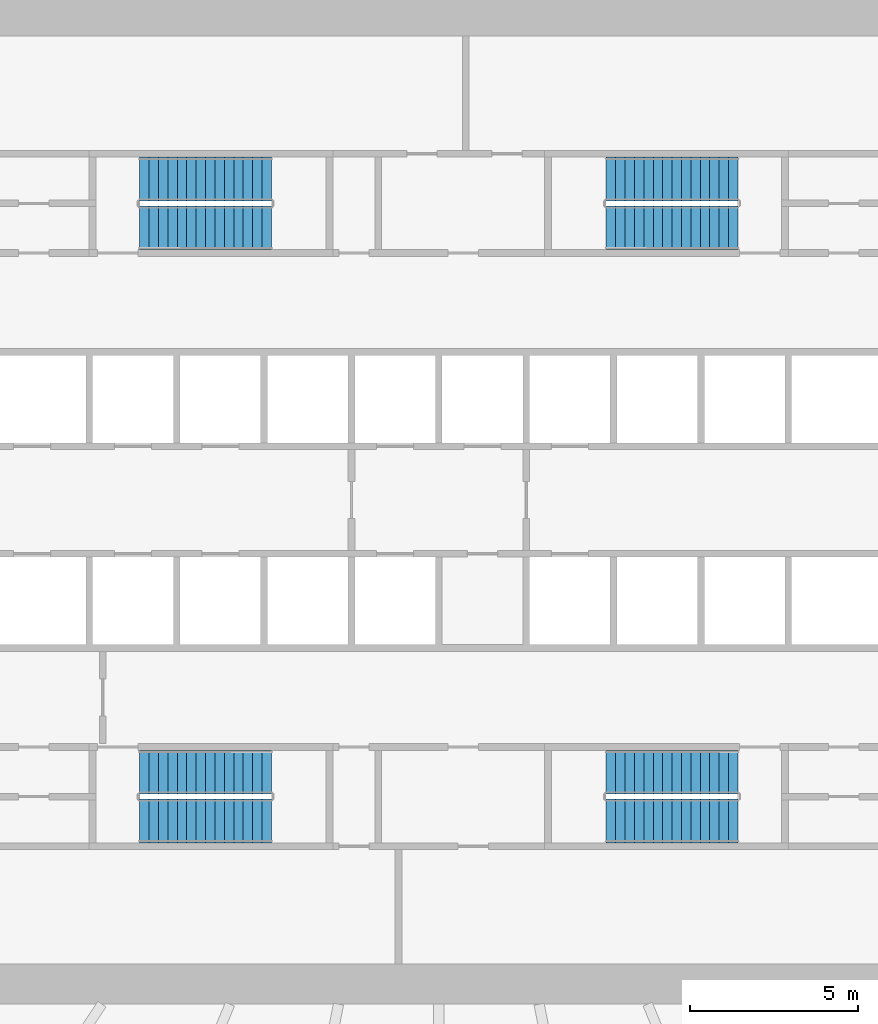
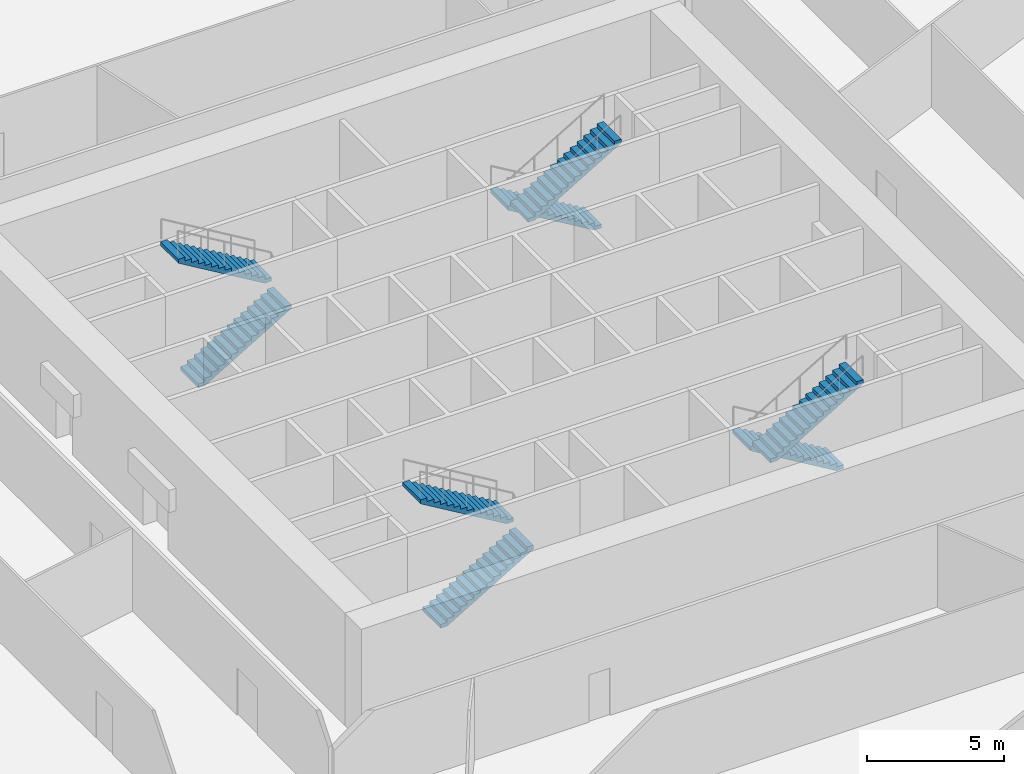
# One storey, part 30 of 38: 8 stair flights, 4 elements without a shape of their own.
"""IFC4 building model written with IfcOpenShell, lengths in metres."""

import ifcopenshell
import ifcopenshell.guid

model = None  # the IFC model being written
_history = None  # IfcOwnerHistory: only IFC2X3 demands one
_inside = {}  # id of a spatial element -> (the spatial element, [elements in it])
_under = {}  # id of a project, library or spatial element -> (it, [spatial elements below it])
_declared = {}  # id of a project -> (the project, [libraries it declares])
_typed = {}  # id of a type object -> (the type object, [elements of that type])
_made_of = {}  # id of a material, layer set ... -> (it, [elements and type objects made of it])


def new_model(schema):
    """Start an empty IFC model of exactly this schema.

    Asked for "IFC4X3", IfcOpenShell would pick the latest addendum, in which some entities
    have other attributes; the version numbers below select the first issue.
    IFC2X3 requires an IfcOwnerHistory on every rooted entity: one is made here for all.
    """
    global model, _history
    if schema == "IFC4X3":
        model = ifcopenshell.file(schema_version=(4, 3, 0, 0))
    else:
        model = ifcopenshell.file(schema=schema)
    _inside.clear()
    _under.clear()
    _declared.clear()
    _typed.clear()
    _made_of.clear()
    _history = None
    if model.schema == "IFC2X3":
        org = make("IfcOrganization", Name="unknown")
        user = make(
            "IfcPersonAndOrganization",
            ThePerson=make("IfcPerson", FamilyName="unknown"),
            TheOrganization=org,
        )
        app = make(
            "IfcApplication",
            ApplicationDeveloper=org,
            Version="unknown",
            ApplicationFullName="unknown",
            ApplicationIdentifier="unknown",
        )
        _history = make(
            "IfcOwnerHistory",
            OwningUser=user,
            OwningApplication=app,
            ChangeAction="ADDED",
            CreationDate=0,
        )
    return model


def make(cls, **values):
    """One entity of the class cls with the attributes given. An attribute that is None is left unset."""
    return model.create_entity(
        cls, **{name: value for name, value in values.items() if value is not None}
    )


def rooted(cls, **values):
    """An entity with a GlobalId (a new one), such as an element, a storey or a relation."""
    return make(cls, GlobalId=ifcopenshell.guid.new(), OwnerHistory=_history, **values)


def si_unit(unit_type, name, prefix=None):
    """IfcSIUnit, for example si_unit("LENGTHUNIT", "METRE", prefix="MILLI")."""
    return make("IfcSIUnit", UnitType=unit_type, Prefix=prefix, Name=name)


def assignment(units):
    """IfcUnitAssignment: the units of a project."""
    return None if units is None else make("IfcUnitAssignment", Units=units)


def point(xyz):
    """IfcCartesianPoint."""
    return None if xyz is None else make("IfcCartesianPoint", Coordinates=xyz)


def direction(xyz):
    """IfcDirection."""
    return None if xyz is None else make("IfcDirection", DirectionRatios=xyz)


def frame(location, z_axis=None, x_axis=None):
    """IfcAxis2Placement3D, a coordinate frame: its origin and axes. An axis left out is left unset."""
    return make(
        "IfcAxis2Placement3D",
        Location=point(location),
        Axis=direction(z_axis),
        RefDirection=direction(x_axis),
    )


def origin():
    """The frame at (0, 0, 0) with its axes left unset."""
    return frame((0.0, 0.0, 0.0))


def place(relative_to, where):
    """IfcLocalPlacement: puts the frame where relative to a parent placement (None: the world)."""
    return make(
        "IfcLocalPlacement", PlacementRelTo=relative_to, RelativePlacement=where
    )


def context(
    kind, dimensions, precision=None, world=None, true_north=None, identifier=None
):
    """IfcGeometricRepresentationContext, for example the 3D "Model" context."""
    return make(
        "IfcGeometricRepresentationContext",
        ContextIdentifier=identifier,
        ContextType=kind,
        CoordinateSpaceDimension=dimensions,
        Precision=precision,
        WorldCoordinateSystem=world,
        TrueNorth=true_north,
    )


def subcontext(parent, identifier, kind, view, scale=None):
    """IfcGeometricRepresentationSubContext, for example "Body" below "Model"."""
    return make(
        "IfcGeometricRepresentationSubContext",
        ContextIdentifier=identifier,
        ContextType=kind,
        ParentContext=parent,
        TargetScale=scale,
        TargetView=view,
    )


def project(units=None, contexts=None):
    """IfcProject with its units and contexts."""
    return rooted(
        "IfcProject",
        Name="project",
        RepresentationContexts=contexts,
        UnitsInContext=assignment(units),
    )


def spatial(cls, under=None, at=None, **own):
    """A site, building, storey or space (cls), placed at a placement, below another one or the project."""
    s = rooted(cls, ObjectPlacement=at, **own)
    if under is not None:
        _under.setdefault(under.id(), (under, []))[1].append(s)
    return s


def polyline(points):
    """IfcPolyline through the points."""
    return make("IfcPolyline", Points=[point(p) for p in points])


def outline(outer, holes=None, kind="AREA"):
    """IfcArbitraryClosedProfileDef: a profile drawn as a closed curve; with holes, ...WithVoids."""
    if holes is None:
        return make("IfcArbitraryClosedProfileDef", ProfileType=kind, OuterCurve=outer)
    return make(
        "IfcArbitraryProfileDefWithVoids",
        ProfileType=kind,
        OuterCurve=outer,
        InnerCurves=holes,
    )


def extrude(swept, where, along, depth):
    """IfcExtrudedAreaSolid: the profile swept, set in the frame where, extruded along a direction by depth."""
    return make(
        "IfcExtrudedAreaSolid",
        SweptArea=swept,
        Position=where,
        ExtrudedDirection=direction(along),
        Depth=depth,
    )


def shape(context_of_items, identifier, shape_type, items):
    """IfcShapeRepresentation: the items that make up one representation, for example the "Body"."""
    return make(
        "IfcShapeRepresentation",
        ContextOfItems=context_of_items,
        RepresentationIdentifier=identifier,
        RepresentationType=shape_type,
        Items=items,
    )


def material(Name=None, Category=None):
    """IfcMaterial."""
    return make("IfcMaterial", Name=Name, Category=Category)


def made_of(thing, what):
    """Note that an element or type object is made of a material, layer set ...; save() writes the relation."""
    if what is not None:
        _made_of.setdefault(what.id(), (what, []))[1].append(thing)
    return thing


def type_object(cls, material=None, **own):
    """A type object (cls), such as IfcWallType, which elements share."""
    return made_of(rooted(cls, **own), material)


def element(
    cls,
    number,
    at=None,
    inside=None,
    cuts=None,
    type_object=None,
    material=None,
    context=None,
    identifier="Body",
    shape_type=None,
    held_by="IfcProductDefinitionShape",
    body=None,
    shapes=None,
    **own,
):
    """One element of the class cls, such as IfcWall. Its Tag is "e" and its number.

    at: its placement. inside: the storey or other place that contains it. cuts: it is an
    opening in that element (IfcRelVoidsElement). A single representation is given by context,
    identifier, shape_type and body (its items); several are given by shapes. held_by: the class
    of the entity that holds the representations. save() writes the other relations.
    """
    e = rooted(cls, Tag="e%d" % number, ObjectPlacement=at, **own)
    if body is not None:
        shapes = [shape(context, identifier, shape_type, body)]
    if shapes is not None:
        e.Representation = make(held_by, Representations=shapes)
    if inside is not None:
        _inside.setdefault(inside.id(), (inside, []))[1].append(e)
    if cuts is not None:
        rooted(
            "IfcRelVoidsElement", RelatingBuildingElement=cuts, RelatedOpeningElement=e
        )
    if type_object is not None:
        _typed.setdefault(type_object.id(), (type_object, []))[1].append(e)
    return made_of(e, material)


def aggregate(whole, parts):
    """IfcRelAggregates: a whole, such as a stair, and the parts it consists of."""
    return rooted("IfcRelAggregates", RelatingObject=whole, RelatedObjects=parts)


def save(model, path):
    """Write the relations noted so far, then the file.

    IfcRelAggregates (storeys below a building ...), IfcRelContainedInSpatialStructure (elements
    in a storey), IfcRelDefinesByType, IfcRelAssociatesMaterial and IfcRelDeclares: one each for
    every whole, place, type object, material and project.
    """
    for whole, parts in _under.values():
        aggregate(whole, parts)
    for where, things in _inside.values():
        rooted(
            "IfcRelContainedInSpatialStructure",
            RelatedElements=things,
            RelatingStructure=where,
        )
    for kind, things in _typed.values():
        rooted("IfcRelDefinesByType", RelatedObjects=things, RelatingType=kind)
    for what, things in _made_of.values():
        rooted("IfcRelAssociatesMaterial", RelatedObjects=things, RelatingMaterial=what)
    for by, libraries in _declared.values():
        rooted("IfcRelDeclares", RelatingContext=by, RelatedDefinitions=libraries)
    model.write(path)


model = new_model("IFC4")

# Units and contexts
model_context = context("Model", 3, precision=1e-05, world=origin(), true_north=direction((0.0, 1.0)))
body_context = subcontext(model_context, "Body", "Model", "MODEL_VIEW")
ifc_project = project(units=[si_unit("LENGTHUNIT", "METRE"), si_unit("AREAUNIT", "SQUARE_METRE"), si_unit("VOLUMEUNIT", "CUBIC_METRE"), si_unit("PLANEANGLEUNIT", "RADIAN"), si_unit("MASSUNIT", "GRAM", prefix="KILO")], contexts=[model_context])

# Site, building, storey
site_placement = place(None, origin())
site = spatial("IfcSite", under=ifc_project, at=site_placement, CompositionType="ELEMENT")
building_placement = place(site_placement, origin())
building = spatial("IfcBuilding", under=site, at=building_placement, Name="Corvane Civic Tower", CompositionType="ELEMENT")
storey_placement = place(building_placement, frame((0.0, 0.0, 32.0)))
storey = spatial("IfcBuildingStorey", under=building, at=storey_placement, Name="L06", CompositionType="ELEMENT", Elevation=32.0)

# Stair, stair flights
ifc_material_1 = material(Name="Concrete C40/50", Category="concrete")
stair_type = type_object("IfcStairType", Name="ST-STAIR-HALFTURN", PredefinedType="HALF_TURN_STAIR", material=ifc_material_1)
stair_1_placement = place(storey_placement, origin())
stair_1 = element("IfcStair", 1, at=stair_1_placement, inside=storey, type_object=stair_type, Name="L06 Exit stair ST1", PredefinedType="HALF_TURN_STAIR")
ifc_material_2 = material(Name="Concrete C40/50", Category="concrete")
stair_flight_type = type_object("IfcStairFlightType", Name="ST-FLIGHT-RC", PredefinedType="STRAIGHT", material=ifc_material_2)
stair_flight_1_placement = place(storey_placement, frame((8.89990234375, 9.550048828125, 0.0), z_axis=(0.0, 0.0, 1.0), x_axis=(-1.0, 0.0, 0.0)))
stair_flight_1 = element("IfcStairFlight", 2, at=stair_flight_1_placement, type_object=stair_flight_type, Name="ST1 flight 1", NumberOfRisers=15, NumberOfTreads=14, PredefinedType="STRAIGHT", RiserHeight=0.166666667, TreadLength=0.28, context=body_context, shape_type="SweptSolid", body=[
    extrude(outline(polyline([(0.0, 0.0), (0.0, 0.166748046875), (0.280029296875, 0.166748046875), (0.280029296875, 0.333251953125), (0.56005859375, 0.333251953125), (0.56005859375, 0.5), (0.840087890625, 0.5), (0.840087890625, 0.666748046875), (1.1201171875, 0.666748046875), (1.1201171875, 0.833251953125), (1.39990234375, 0.833251953125), (1.39990234375, 1.0), (1.679931640625, 1.0), (1.679931640625, 1.166748046875), (1.9599609375, 1.166748046875), (1.9599609375, 1.333251953125), (2.239990234375, 1.333251953125), (2.239990234375, 1.5), (2.52001953125, 1.5), (2.52001953125, 1.666748046875), (2.800048828125, 1.666748046875), (2.800048828125, 1.833251953125), (3.080078125, 1.833251953125), (3.080078125, 2.0), (3.360107421875, 2.0), (3.360107421875, 2.166748046875), (3.639892578125, 2.166748046875), (3.639892578125, 2.333251953125), (3.919921875, 2.333251953125), (3.919921875, 2.5), (3.919921875, 2.158935546875), (0.29296875, 0.0), (0.0, 0.0)])), frame((0.0, 0.64990234375, 0.0), z_axis=(0.0, -1.0, 0.0), x_axis=(1.0, 0.0, 0.0)), (0.0, 0.0, 1.0), 1.300048828125),
])
stair_flight_2_placement = place(storey_placement, frame((4.97998046875, 8.10009765625, 2.5), z_axis=(0.0, 0.0, 1.0), x_axis=(1.0, 0.0, 0.0)))
stair_flight_2 = element("IfcStairFlight", 3, at=stair_flight_2_placement, type_object=stair_flight_type, Name="ST1 flight 2", NumberOfRisers=15, NumberOfTreads=14, PredefinedType="STRAIGHT", RiserHeight=0.166666667, TreadLength=0.28, context=body_context, shape_type="SweptSolid", body=[
    extrude(outline(polyline([(0.0, 0.0), (0.0, 0.166748046875), (0.280029296875, 0.166748046875), (0.280029296875, 0.333251953125), (0.56005859375, 0.333251953125), (0.56005859375, 0.5), (0.840087890625, 0.5), (0.840087890625, 0.666748046875), (1.1201171875, 0.666748046875), (1.1201171875, 0.833251953125), (1.39990234375, 0.833251953125), (1.39990234375, 1.0), (1.679931640625, 1.0), (1.679931640625, 1.166748046875), (1.9599609375, 1.166748046875), (1.9599609375, 1.333251953125), (2.239990234375, 1.333251953125), (2.239990234375, 1.5), (2.52001953125, 1.5), (2.52001953125, 1.666748046875), (2.800048828125, 1.666748046875), (2.800048828125, 1.833251953125), (3.080078125, 1.833251953125), (3.080078125, 2.0), (3.360107421875, 2.0), (3.360107421875, 2.166748046875), (3.639892578125, 2.166748046875), (3.639892578125, 2.333251953125), (3.919921875, 2.333251953125), (3.919921875, 2.5), (3.919921875, 2.158935546875), (0.29296875, 0.0), (0.0, 0.0)])), frame((0.0, 0.64990234375, 0.0), z_axis=(0.0, -1.0, 0.0), x_axis=(1.0, 0.0, 0.0)), (0.0, 0.0, 1.0), 1.300048828125),
])
aggregate(stair_1, [stair_flight_1, stair_flight_2])

stair_2_placement = place(storey_placement, origin())
stair_2 = element("IfcStair", 4, at=stair_2_placement, inside=storey, type_object=stair_type, Name="L06 Exit stair ST2", PredefinedType="HALF_TURN_STAIR")
stair_flight_3_placement = place(storey_placement, frame((8.89990234375, -8.10009765625, 0.0), z_axis=(0.0, 0.0, 1.0), x_axis=(-1.0, 0.0, 0.0)))
stair_flight_3 = element("IfcStairFlight", 5, at=stair_flight_3_placement, type_object=stair_flight_type, Name="ST2 flight 1", NumberOfRisers=15, NumberOfTreads=14, PredefinedType="STRAIGHT", RiserHeight=0.166666667, TreadLength=0.28, context=body_context, shape_type="SweptSolid", body=[
    extrude(outline(polyline([(0.0, 0.0), (0.0, 0.166748046875), (0.280029296875, 0.166748046875), (0.280029296875, 0.333251953125), (0.56005859375, 0.333251953125), (0.56005859375, 0.5), (0.840087890625, 0.5), (0.840087890625, 0.666748046875), (1.1201171875, 0.666748046875), (1.1201171875, 0.833251953125), (1.39990234375, 0.833251953125), (1.39990234375, 1.0), (1.679931640625, 1.0), (1.679931640625, 1.166748046875), (1.9599609375, 1.166748046875), (1.9599609375, 1.333251953125), (2.239990234375, 1.333251953125), (2.239990234375, 1.5), (2.52001953125, 1.5), (2.52001953125, 1.666748046875), (2.800048828125, 1.666748046875), (2.800048828125, 1.833251953125), (3.080078125, 1.833251953125), (3.080078125, 2.0), (3.360107421875, 2.0), (3.360107421875, 2.166748046875), (3.639892578125, 2.166748046875), (3.639892578125, 2.333251953125), (3.919921875, 2.333251953125), (3.919921875, 2.5), (3.919921875, 2.158935546875), (0.29296875, 0.0), (0.0, 0.0)])), frame((0.0, 0.64990234375, 0.0), z_axis=(0.0, -1.0, 0.0), x_axis=(1.0, 0.0, 0.0)), (0.0, 0.0, 1.0), 1.300048828125),
])
stair_flight_4_placement = place(storey_placement, frame((4.97998046875, -9.550048828125, 2.5), z_axis=(0.0, 0.0, 1.0), x_axis=(1.0, 0.0, 0.0)))
stair_flight_4 = element("IfcStairFlight", 6, at=stair_flight_4_placement, type_object=stair_flight_type, Name="ST2 flight 2", NumberOfRisers=15, NumberOfTreads=14, PredefinedType="STRAIGHT", RiserHeight=0.166666667, TreadLength=0.28, context=body_context, shape_type="SweptSolid", body=[
    extrude(outline(polyline([(0.0, 0.0), (0.0, 0.166748046875), (0.280029296875, 0.166748046875), (0.280029296875, 0.333251953125), (0.56005859375, 0.333251953125), (0.56005859375, 0.5), (0.840087890625, 0.5), (0.840087890625, 0.666748046875), (1.1201171875, 0.666748046875), (1.1201171875, 0.833251953125), (1.39990234375, 0.833251953125), (1.39990234375, 1.0), (1.679931640625, 1.0), (1.679931640625, 1.166748046875), (1.9599609375, 1.166748046875), (1.9599609375, 1.333251953125), (2.239990234375, 1.333251953125), (2.239990234375, 1.5), (2.52001953125, 1.5), (2.52001953125, 1.666748046875), (2.800048828125, 1.666748046875), (2.800048828125, 1.833251953125), (3.080078125, 1.833251953125), (3.080078125, 2.0), (3.360107421875, 2.0), (3.360107421875, 2.166748046875), (3.639892578125, 2.166748046875), (3.639892578125, 2.333251953125), (3.919921875, 2.333251953125), (3.919921875, 2.5), (3.919921875, 2.158935546875), (0.29296875, 0.0), (0.0, 0.0)])), frame((0.0, 0.64990234375, 0.0), z_axis=(0.0, -1.0, 0.0), x_axis=(1.0, 0.0, 0.0)), (0.0, 0.0, 1.0), 1.300048828125),
])
aggregate(stair_2, [stair_flight_3, stair_flight_4])

stair_3_placement = place(storey_placement, origin())
stair_3 = element("IfcStair", 7, at=stair_3_placement, inside=storey, type_object=stair_type, Name="L06 Exit stair ST3", PredefinedType="HALF_TURN_STAIR")
stair_flight_5_placement = place(storey_placement, frame((-8.89990234375, -9.550048828125, 0.0), z_axis=(0.0, 0.0, 1.0), x_axis=(1.0, 0.0, 0.0)))
stair_flight_5 = element("IfcStairFlight", 8, at=stair_flight_5_placement, type_object=stair_flight_type, Name="ST3 flight 1", NumberOfRisers=15, NumberOfTreads=14, PredefinedType="STRAIGHT", RiserHeight=0.166666667, TreadLength=0.28, context=body_context, shape_type="SweptSolid", body=[
    extrude(outline(polyline([(0.0, 0.0), (0.0, 0.166748046875), (0.280029296875, 0.166748046875), (0.280029296875, 0.333251953125), (0.56005859375, 0.333251953125), (0.56005859375, 0.5), (0.840087890625, 0.5), (0.840087890625, 0.666748046875), (1.1201171875, 0.666748046875), (1.1201171875, 0.833251953125), (1.39990234375, 0.833251953125), (1.39990234375, 1.0), (1.679931640625, 1.0), (1.679931640625, 1.166748046875), (1.9599609375, 1.166748046875), (1.9599609375, 1.333251953125), (2.239990234375, 1.333251953125), (2.239990234375, 1.5), (2.52001953125, 1.5), (2.52001953125, 1.666748046875), (2.800048828125, 1.666748046875), (2.800048828125, 1.833251953125), (3.080078125, 1.833251953125), (3.080078125, 2.0), (3.360107421875, 2.0), (3.360107421875, 2.166748046875), (3.639892578125, 2.166748046875), (3.639892578125, 2.333251953125), (3.919921875, 2.333251953125), (3.919921875, 2.5), (3.919921875, 2.158935546875), (0.29296875, 0.0), (0.0, 0.0)])), frame((0.0, 0.64990234375, 0.0), z_axis=(0.0, -1.0, 0.0), x_axis=(1.0, 0.0, 0.0)), (0.0, 0.0, 1.0), 1.300048828125),
])
stair_flight_6_placement = place(storey_placement, frame((-4.97998046875, -8.10009765625, 2.5), z_axis=(0.0, 0.0, 1.0), x_axis=(-1.0, 0.0, 0.0)))
stair_flight_6 = element("IfcStairFlight", 9, at=stair_flight_6_placement, type_object=stair_flight_type, Name="ST3 flight 2", NumberOfRisers=15, NumberOfTreads=14, PredefinedType="STRAIGHT", RiserHeight=0.166666667, TreadLength=0.28, context=body_context, shape_type="SweptSolid", body=[
    extrude(outline(polyline([(0.0, 0.0), (0.0, 0.166748046875), (0.280029296875, 0.166748046875), (0.280029296875, 0.333251953125), (0.56005859375, 0.333251953125), (0.56005859375, 0.5), (0.840087890625, 0.5), (0.840087890625, 0.666748046875), (1.1201171875, 0.666748046875), (1.1201171875, 0.833251953125), (1.39990234375, 0.833251953125), (1.39990234375, 1.0), (1.679931640625, 1.0), (1.679931640625, 1.166748046875), (1.9599609375, 1.166748046875), (1.9599609375, 1.333251953125), (2.239990234375, 1.333251953125), (2.239990234375, 1.5), (2.52001953125, 1.5), (2.52001953125, 1.666748046875), (2.800048828125, 1.666748046875), (2.800048828125, 1.833251953125), (3.080078125, 1.833251953125), (3.080078125, 2.0), (3.360107421875, 2.0), (3.360107421875, 2.166748046875), (3.639892578125, 2.166748046875), (3.639892578125, 2.333251953125), (3.919921875, 2.333251953125), (3.919921875, 2.5), (3.919921875, 2.158935546875), (0.29296875, 0.0), (0.0, 0.0)])), frame((0.0, 0.64990234375, 0.0), z_axis=(0.0, -1.0, 0.0), x_axis=(1.0, 0.0, 0.0)), (0.0, 0.0, 1.0), 1.300048828125),
])
aggregate(stair_3, [stair_flight_5, stair_flight_6])

stair_4_placement = place(storey_placement, origin())
stair_4 = element("IfcStair", 10, at=stair_4_placement, inside=storey, type_object=stair_type, Name="L06 Exit stair ST4", PredefinedType="HALF_TURN_STAIR")
stair_flight_7_placement = place(storey_placement, frame((-8.89990234375, 8.10009765625, 0.0), z_axis=(0.0, 0.0, 1.0), x_axis=(1.0, 0.0, 0.0)))
stair_flight_7 = element("IfcStairFlight", 11, at=stair_flight_7_placement, type_object=stair_flight_type, Name="ST4 flight 1", NumberOfRisers=15, NumberOfTreads=14, PredefinedType="STRAIGHT", RiserHeight=0.166666667, TreadLength=0.28, context=body_context, shape_type="SweptSolid", body=[
    extrude(outline(polyline([(0.0, 0.0), (0.0, 0.166748046875), (0.280029296875, 0.166748046875), (0.280029296875, 0.333251953125), (0.56005859375, 0.333251953125), (0.56005859375, 0.5), (0.840087890625, 0.5), (0.840087890625, 0.666748046875), (1.1201171875, 0.666748046875), (1.1201171875, 0.833251953125), (1.39990234375, 0.833251953125), (1.39990234375, 1.0), (1.679931640625, 1.0), (1.679931640625, 1.166748046875), (1.9599609375, 1.166748046875), (1.9599609375, 1.333251953125), (2.239990234375, 1.333251953125), (2.239990234375, 1.5), (2.52001953125, 1.5), (2.52001953125, 1.666748046875), (2.800048828125, 1.666748046875), (2.800048828125, 1.833251953125), (3.080078125, 1.833251953125), (3.080078125, 2.0), (3.360107421875, 2.0), (3.360107421875, 2.166748046875), (3.639892578125, 2.166748046875), (3.639892578125, 2.333251953125), (3.919921875, 2.333251953125), (3.919921875, 2.5), (3.919921875, 2.158935546875), (0.29296875, 0.0), (0.0, 0.0)])), frame((0.0, 0.64990234375, 0.0), z_axis=(0.0, -1.0, 0.0), x_axis=(1.0, 0.0, 0.0)), (0.0, 0.0, 1.0), 1.300048828125),
])
stair_flight_8_placement = place(storey_placement, frame((-4.97998046875, 9.550048828125, 2.5), z_axis=(0.0, 0.0, 1.0), x_axis=(-1.0, 0.0, 0.0)))
stair_flight_8 = element("IfcStairFlight", 12, at=stair_flight_8_placement, type_object=stair_flight_type, Name="ST4 flight 2", NumberOfRisers=15, NumberOfTreads=14, PredefinedType="STRAIGHT", RiserHeight=0.166666667, TreadLength=0.28, context=body_context, shape_type="SweptSolid", body=[
    extrude(outline(polyline([(0.0, 0.0), (0.0, 0.166748046875), (0.280029296875, 0.166748046875), (0.280029296875, 0.333251953125), (0.56005859375, 0.333251953125), (0.56005859375, 0.5), (0.840087890625, 0.5), (0.840087890625, 0.666748046875), (1.1201171875, 0.666748046875), (1.1201171875, 0.833251953125), (1.39990234375, 0.833251953125), (1.39990234375, 1.0), (1.679931640625, 1.0), (1.679931640625, 1.166748046875), (1.9599609375, 1.166748046875), (1.9599609375, 1.333251953125), (2.239990234375, 1.333251953125), (2.239990234375, 1.5), (2.52001953125, 1.5), (2.52001953125, 1.666748046875), (2.800048828125, 1.666748046875), (2.800048828125, 1.833251953125), (3.080078125, 1.833251953125), (3.080078125, 2.0), (3.360107421875, 2.0), (3.360107421875, 2.166748046875), (3.639892578125, 2.166748046875), (3.639892578125, 2.333251953125), (3.919921875, 2.333251953125), (3.919921875, 2.5), (3.919921875, 2.158935546875), (0.29296875, 0.0), (0.0, 0.0)])), frame((0.0, 0.64990234375, 0.0), z_axis=(0.0, -1.0, 0.0), x_axis=(1.0, 0.0, 0.0)), (0.0, 0.0, 1.0), 1.300048828125),
])
aggregate(stair_4, [stair_flight_7, stair_flight_8])

save(model, "model.ifc")
